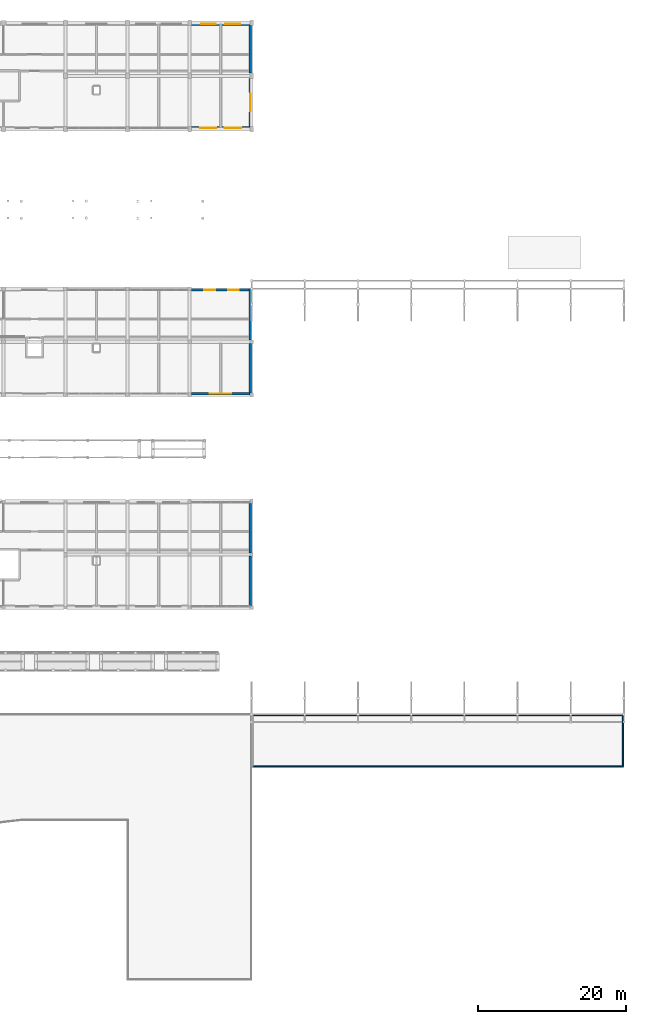
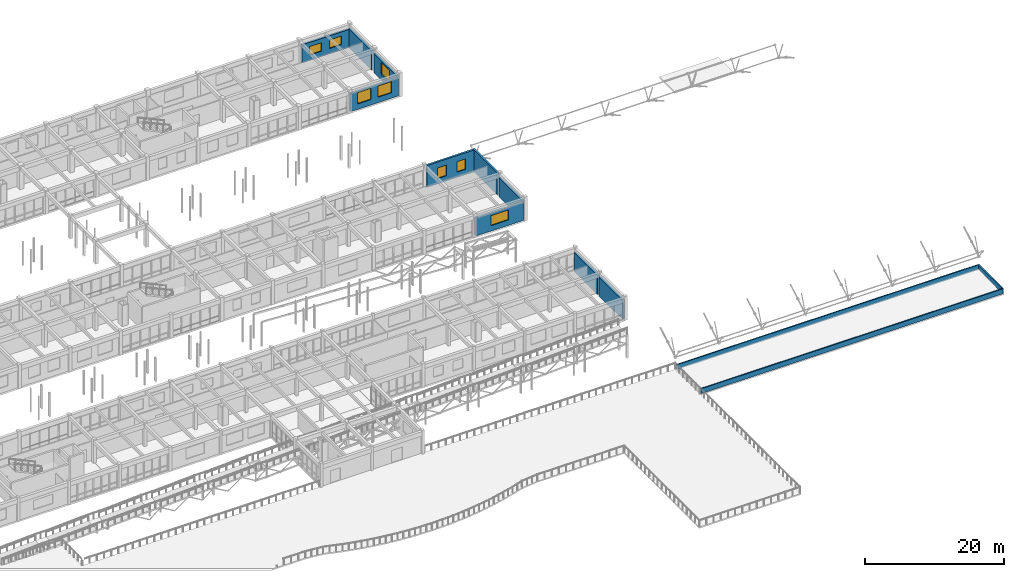
# One storey, part 79 of 90: 13 walls, 8 windows, 8 openings.
"""IFC4 building model written with IfcOpenShell, lengths in metres."""

from ifc_helpers import new_model, si_unit, direction, frame, frame_2d, origin, place, context, subcontext, project, spatial, rectangle, extrude, material, layer, layer_set, type_object, element, fill, save


model = new_model("IFC4")

# Units and contexts
model_context = context("Model", 3, precision=1e-05, world=origin(), true_north=direction((0.0, 1.0)))
body_context = subcontext(model_context, "Body", "Model", "MODEL_VIEW")
ifc_project = project(units=[si_unit("LENGTHUNIT", "METRE"), si_unit("AREAUNIT", "SQUARE_METRE"), si_unit("VOLUMEUNIT", "CUBIC_METRE"), si_unit("PLANEANGLEUNIT", "RADIAN"), si_unit("MASSUNIT", "GRAM", prefix="KILO")], contexts=[model_context])

# Site, building, storey
site_placement = place(None, origin())
site = spatial("IfcSite", under=ifc_project, at=site_placement, CompositionType="ELEMENT")
building_placement = place(site_placement, origin())
building = spatial("IfcBuilding", under=site, at=building_placement, Name="Malvenik Polytechnic", CompositionType="ELEMENT")
storey_placement = place(building_placement, frame((0.0, 0.0, 9.300048828125)))
storey = spatial("IfcBuildingStorey", under=building, at=storey_placement, Name="L02", CompositionType="ELEMENT", Elevation=9.300048828125)

# Walls
ifc_material_1 = material(Name="Concrete C30/37", Category="concrete")
ifc_layer_1 = layer(ifc_material_1, 0.340087890625)
ifc_layer_set_1 = layer_set([ifc_layer_1], Name="Concrete C30/37")
wall_type_1 = type_object("IfcWallType", Name="ARC-EW-340", PredefinedType="SOLIDWALL", material=ifc_layer_set_1)
wall_1_placement = place(storey_placement, frame((134.22998046875, 64.501953125, 0.0), z_axis=(0.0, 0.0, 1.0), x_axis=(0.0, -1.0, 0.0)))
element("IfcWall", 1, at=wall_1_placement, inside=storey, type_object=wall_type_1, Name="External Facade Wall EW-02 L02 #289", PredefinedType="SOLIDWALL", context=body_context, shape_type="SweptSolid", body=[
    extrude(rectangle(XDim=6.703857421875, YDim=0.340087890625, at=frame_2d((3.35205078125, 0.0))), origin(), (0.0, 0.0, 1.0), 3.329833984375),
])
wall_2_placement = place(storey_placement, frame((134.22998046875, 57.402099609375, 0.0), z_axis=(0.0, 0.0, 1.0), x_axis=(0.0, -1.0, 0.0)))
element("IfcWall", 2, at=wall_2_placement, inside=storey, type_object=wall_type_1, Name="External Facade Wall EW-02 L02 #290", PredefinedType="SOLIDWALL", context=body_context, shape_type="SweptSolid", body=[
    extrude(rectangle(XDim=6.779052734375, YDim=0.340087890625, at=frame_2d((3.3896484375, 0.0))), origin(), (0.0, 0.0, 1.0), 3.329833984375),
])
wall_3_placement = place(storey_placement, frame((134.22998046875, 93.60009765625, 0.0), z_axis=(0.0, 0.0, 1.0), x_axis=(0.0, -1.0, 0.0)))
element("IfcWall", 3, at=wall_3_placement, inside=storey, type_object=wall_type_1, Name="External Facade Wall EW-02 L02 #295", PredefinedType="SOLIDWALL", context=body_context, shape_type="SweptSolid", body=[
    extrude(rectangle(XDim=6.9521484375, YDim=0.340087890625, at=frame_2d((3.47607421875, 0.0))), origin(), (0.0, 0.0, 1.0), 3.85986328125),
])
wall_4_placement = place(storey_placement, frame((134.22998046875, 86.152099609375, 0.0), z_axis=(0.0, 0.0, 1.0), x_axis=(0.0, -1.0, 0.0)))
element("IfcWall", 4, at=wall_4_placement, inside=storey, type_object=wall_type_1, Name="External Facade Wall EW-02 L02 #296", PredefinedType="SOLIDWALL", context=body_context, shape_type="SweptSolid", body=[
    extrude(rectangle(XDim=6.7041015625, YDim=0.340087890625, at=frame_2d((3.35205078125, 0.0))), origin(), (0.0, 0.0, 1.0), 3.329833984375),
])

# Wall, opening, window
wall_5_placement = place(storey_placement, frame((134.152099609375, 79.3701171875, 0.0), z_axis=(0.0, 0.0, 1.0), x_axis=(-1.0, 0.0, 0.0)))
wall_5 = element("IfcWall", 5, at=wall_5_placement, inside=storey, type_object=wall_type_1, Name="External Facade Wall EW-02 L02 #297", PredefinedType="SOLIDWALL", context=body_context, shape_type="SweptSolid", body=[
    extrude(rectangle(XDim=7.904052734375, YDim=0.340087890625, at=frame_2d((3.9521484375, 0.0))), origin(), (0.0, 0.0, 1.0), 3.179931640625),
])
opening_1_placement = place(wall_5_placement, frame((2.501953125, 0.0, 0.949951171875)))
opening_1 = element("IfcOpeningElement", 6, at=opening_1_placement, cuts=wall_5, Name="Opening W-28", PredefinedType="OPENING", context=body_context, shape_type="SweptSolid", body=[
    extrude(rectangle(XDim=2.89990234375, YDim=1.75, at=frame_2d((1.449951171875, 0.875))), frame((0.0, 0.18017578125, 0.0), z_axis=(0.0, -1.0, 0.0), x_axis=(1.0, 0.0, 0.0)), (0.0, 0.0, 1.0), 0.360107421875),
])
ifc_material_2 = material(Name="Thermally broken aluminium frame with low-E double glazing", Category="aluminium")
window_type_1 = type_object("IfcWindowType", Name="ARC-WIN-W-28", PartitioningType="SINGLE_PANEL", PredefinedType="WINDOW", material=ifc_material_2)
window_1_placement = place(opening_1_placement, origin())
window_1 = element("IfcWindow", 7, at=window_1_placement, inside=storey, type_object=window_type_1, Name="Punched Window W-28 L02 #268", OverallHeight=1.75, OverallWidth=2.89990234375, PartitioningType="SINGLE_PANEL", PredefinedType="WINDOW", context=body_context, shape_type="SweptSolid", body=[
    extrude(rectangle(XDim=2.89990234375, YDim=1.75, at=frame_2d((1.449951171875, 0.875))), frame((0.0, 0.030029296875, 0.0), z_axis=(0.0, -1.0, 0.0), x_axis=(1.0, 0.0, 0.0)), (0.0, 0.0, 1.0), 0.06005859375),
])
fill(opening_1, window_1)

# Wall, openings, windows
wall_6_placement = place(storey_placement, frame((126.248046875, 93.429931640625, 0.0), z_axis=(0.0, 0.0, 1.0), x_axis=(1.0, 0.0, 0.0)))
wall_6 = element("IfcWall", 8, at=wall_6_placement, inside=storey, type_object=wall_type_1, Name="External Facade Wall EW-02 L02 #320", PredefinedType="SOLIDWALL", context=body_context, shape_type="SweptSolid", body=[
    extrude(rectangle(XDim=8.15185546875, YDim=0.340087890625, at=frame_2d((4.075927734375, 0.0))), origin(), (0.0, 0.0, 1.0), 3.85986328125),
])
opening_2_placement = place(wall_6_placement, frame((1.750732421875, 0.0, 0.949951171875)))
opening_2 = element("IfcOpeningElement", 9, at=opening_2_placement, cuts=wall_6, Name="Opening W-31", PredefinedType="OPENING", context=body_context, shape_type="SweptSolid", body=[
    extrude(rectangle(XDim=1.449951171875, YDim=1.85009765625, at=frame_2d((0.72509765625, 0.925048828125))), frame((0.0, 0.18017578125, 0.0), z_axis=(0.0, -1.0, 0.0), x_axis=(1.0, 0.0, 0.0)), (0.0, 0.0, 1.0), 0.360107421875),
])
opening_3_placement = place(wall_6_placement, frame((4.951416015625, 0.0, 0.949951171875)))
opening_3 = element("IfcOpeningElement", 10, at=opening_3_placement, cuts=wall_6, Name="Opening W-31", PredefinedType="OPENING", context=body_context, shape_type="SweptSolid", body=[
    extrude(rectangle(XDim=1.449951171875, YDim=1.85009765625, at=frame_2d((0.72509765625, 0.925048828125))), frame((0.0, 0.18017578125, 0.0), z_axis=(0.0, -1.0, 0.0), x_axis=(1.0, 0.0, 0.0)), (0.0, 0.0, 1.0), 0.360107421875),
])
window_type_2 = type_object("IfcWindowType", Name="ARC-WIN-W-31", PartitioningType="SINGLE_PANEL", PredefinedType="WINDOW", material=ifc_material_2)
window_2_placement = place(opening_2_placement, origin())
window_2 = element("IfcWindow", 11, at=window_2_placement, inside=storey, type_object=window_type_2, Name="Punched Window W-31 L02 #303", OverallHeight=1.85009765625, OverallWidth=1.449951171875, PartitioningType="SINGLE_PANEL", PredefinedType="WINDOW", context=body_context, shape_type="SweptSolid", body=[
    extrude(rectangle(XDim=1.449951171875, YDim=1.85009765625, at=frame_2d((0.72509765625, 0.925048828125))), frame((0.0, 0.030029296875, 0.0), z_axis=(0.0, -1.0, 0.0), x_axis=(1.0, 0.0, 0.0)), (0.0, 0.0, 1.0), 0.06005859375),
])
fill(opening_2, window_2)
window_3_placement = place(opening_3_placement, origin())
window_3 = element("IfcWindow", 12, at=window_3_placement, inside=storey, type_object=window_type_2, Name="Punched Window W-31 L02 #304", OverallHeight=1.85009765625, OverallWidth=1.449951171875, PartitioningType="SINGLE_PANEL", PredefinedType="WINDOW", context=body_context, shape_type="SweptSolid", body=[
    extrude(rectangle(XDim=1.449951171875, YDim=1.85009765625, at=frame_2d((0.72509765625, 0.925048828125))), frame((0.0, 0.030029296875, 0.0), z_axis=(0.0, -1.0, 0.0), x_axis=(1.0, 0.0, 0.0)), (0.0, 0.0, 1.0), 0.06005859375),
])
fill(opening_3, window_3)

# Wall
wall_7_placement = place(storey_placement, frame((134.22998046875, 129.22705078125, 0.0), z_axis=(0.0, 0.0, 1.0), x_axis=(0.0, -1.0, 0.0)))
element("IfcWall", 13, at=wall_7_placement, inside=storey, type_object=wall_type_1, Name="External Facade Wall EW-02 L02 #321", PredefinedType="SOLIDWALL", context=body_context, shape_type="SweptSolid", body=[
    extrude(rectangle(XDim=6.4541015625, YDim=0.340087890625, at=frame_2d((3.22705078125, 0.0))), origin(), (0.0, 0.0, 1.0), 3.329833984375),
])

# Wall, opening, window
wall_8_placement = place(storey_placement, frame((134.22998046875, 122.027099609375, 0.0), z_axis=(0.0, 0.0, 1.0), x_axis=(0.0, -1.0, 0.0)))
wall_8 = element("IfcWall", 14, at=wall_8_placement, inside=storey, type_object=wall_type_1, Name="External Facade Wall EW-02 L02 #322", PredefinedType="SOLIDWALL", context=body_context, shape_type="SweptSolid", body=[
    extrude(rectangle(XDim=6.4541015625, YDim=0.340087890625, at=frame_2d((3.22705078125, 0.0))), origin(), (0.0, 0.0, 1.0), 3.329833984375),
])
opening_4_placement = place(wall_8_placement, frame((2.027099609375, 0.0, 0.949951171875)))
opening_4 = element("IfcOpeningElement", 15, at=opening_4_placement, cuts=wall_8, Name="Opening W-01", PredefinedType="OPENING", context=body_context, shape_type="SweptSolid", body=[
    extrude(rectangle(XDim=2.39990234375, YDim=2.10009765625, at=frame_2d((1.199951171875, 1.050048828125))), frame((0.0, 0.18017578125, 0.0), z_axis=(0.0, -1.0, 0.0), x_axis=(1.0, 0.0, 0.0)), (0.0, 0.0, 1.0), 0.360107421875),
])
window_type_3 = type_object("IfcWindowType", Name="ARC-WIN-W-01", PartitioningType="SINGLE_PANEL", PredefinedType="WINDOW", material=ifc_material_2)
window_4_placement = place(opening_4_placement, origin())
window_4 = element("IfcWindow", 16, at=window_4_placement, inside=storey, type_object=window_type_3, Name="Punched Window W-01 L02 #305", OverallHeight=2.10009765625, OverallWidth=2.39990234375, PartitioningType="SINGLE_PANEL", PredefinedType="WINDOW", context=body_context, shape_type="SweptSolid", body=[
    extrude(rectangle(XDim=2.39990234375, YDim=2.10009765625, at=frame_2d((1.199951171875, 1.050048828125))), frame((0.0, 0.030029296875, 0.0), z_axis=(0.0, -1.0, 0.0), x_axis=(1.0, 0.0, 0.0)), (0.0, 0.0, 1.0), 0.06005859375),
])
fill(opening_4, window_4)

# Wall, openings, windows
wall_9_placement = place(storey_placement, frame((134.152099609375, 115.3701171875, 0.0), z_axis=(0.0, 0.0, 1.0), x_axis=(-1.0, 0.0, 0.0)))
wall_9 = element("IfcWall", 17, at=wall_9_placement, inside=storey, type_object=wall_type_1, Name="External Facade Wall EW-02 L02 #323", PredefinedType="SOLIDWALL", context=body_context, shape_type="SweptSolid", body=[
    extrude(rectangle(XDim=7.904052734375, YDim=0.340087890625, at=frame_2d((3.9521484375, 0.0))), origin(), (0.0, 0.0, 1.0), 3.179931640625),
])
opening_5_placement = place(wall_9_placement, frame((1.16796875, 0.0, 0.949951171875)))
opening_5 = element("IfcOpeningElement", 18, at=opening_5_placement, cuts=wall_9, Name="Opening W-02", PredefinedType="OPENING", context=body_context, shape_type="SweptSolid", body=[
    extrude(rectangle(XDim=2.199951171875, YDim=1.97998046875, at=frame_2d((1.10009765625, 0.989990234375))), frame((0.0, 0.18017578125, 0.0), z_axis=(0.0, -1.0, 0.0), x_axis=(1.0, 0.0, 0.0)), (0.0, 0.0, 1.0), 0.360107421875),
])
opening_6_placement = place(wall_9_placement, frame((4.535888671875, 0.0, 0.949951171875)))
opening_6 = element("IfcOpeningElement", 19, at=opening_6_placement, cuts=wall_9, Name="Opening W-02", PredefinedType="OPENING", context=body_context, shape_type="SweptSolid", body=[
    extrude(rectangle(XDim=2.199951171875, YDim=1.97998046875, at=frame_2d((1.10009765625, 0.989990234375))), frame((0.0, 0.18017578125, 0.0), z_axis=(0.0, -1.0, 0.0), x_axis=(1.0, 0.0, 0.0)), (0.0, 0.0, 1.0), 0.360107421875),
])
window_type_4 = type_object("IfcWindowType", Name="ARC-WIN-W-02", PartitioningType="SINGLE_PANEL", PredefinedType="WINDOW", material=ifc_material_2)
window_5_placement = place(opening_5_placement, origin())
window_5 = element("IfcWindow", 20, at=window_5_placement, inside=storey, type_object=window_type_4, Name="Punched Window W-02 L02 #306", OverallHeight=1.97998046875, OverallWidth=2.199951171875, PartitioningType="SINGLE_PANEL", PredefinedType="WINDOW", context=body_context, shape_type="SweptSolid", body=[
    extrude(rectangle(XDim=2.199951171875, YDim=1.97998046875, at=frame_2d((1.10009765625, 0.989990234375))), frame((0.0, 0.030029296875, 0.0), z_axis=(0.0, -1.0, 0.0), x_axis=(1.0, 0.0, 0.0)), (0.0, 0.0, 1.0), 0.06005859375),
])
fill(opening_5, window_5)
window_6_placement = place(opening_6_placement, origin())
window_6 = element("IfcWindow", 21, at=window_6_placement, inside=storey, type_object=window_type_4, Name="Punched Window W-02 L02 #307", OverallHeight=1.97998046875, OverallWidth=2.199951171875, PartitioningType="SINGLE_PANEL", PredefinedType="WINDOW", context=body_context, shape_type="SweptSolid", body=[
    extrude(rectangle(XDim=2.199951171875, YDim=1.97998046875, at=frame_2d((1.10009765625, 0.989990234375))), frame((0.0, 0.030029296875, 0.0), z_axis=(0.0, -1.0, 0.0), x_axis=(1.0, 0.0, 0.0)), (0.0, 0.0, 1.0), 0.06005859375),
])
fill(opening_6, window_6)

wall_10_placement = place(storey_placement, frame((126.248046875, 129.429931640625, 0.0), z_axis=(0.0, 0.0, 1.0), x_axis=(1.0, 0.0, 0.0)))
wall_10 = element("IfcWall", 22, at=wall_10_placement, inside=storey, type_object=wall_type_1, Name="External Facade Wall EW-02 L02 #351", PredefinedType="SOLIDWALL", context=body_context, shape_type="SweptSolid", body=[
    extrude(rectangle(XDim=7.904052734375, YDim=0.340087890625, at=frame_2d((3.9521484375, 0.0))), origin(), (0.0, 0.0, 1.0), 3.179931640625),
])
opening_7_placement = place(wall_10_placement, frame((1.30126953125, 0.0, 0.949951171875)))
opening_7 = element("IfcOpeningElement", 23, at=opening_7_placement, cuts=wall_10, Name="Opening W-13", PredefinedType="OPENING", context=body_context, shape_type="SweptSolid", body=[
    extrude(rectangle(XDim=2.0, YDim=1.5, at=frame_2d((1.0, 0.75))), frame((0.0, 0.18017578125, 0.0), z_axis=(0.0, -1.0, 0.0), x_axis=(1.0, 0.0, 0.0)), (0.0, 0.0, 1.0), 0.360107421875),
])
opening_8_placement = place(wall_10_placement, frame((4.6025390625, 0.0, 0.949951171875)))
opening_8 = element("IfcOpeningElement", 24, at=opening_8_placement, cuts=wall_10, Name="Opening W-13", PredefinedType="OPENING", context=body_context, shape_type="SweptSolid", body=[
    extrude(rectangle(XDim=2.0, YDim=1.5, at=frame_2d((1.0, 0.75))), frame((0.0, 0.18017578125, 0.0), z_axis=(0.0, -1.0, 0.0), x_axis=(1.0, 0.0, 0.0)), (0.0, 0.0, 1.0), 0.360107421875),
])
window_type_5 = type_object("IfcWindowType", Name="ARC-WIN-W-13", PartitioningType="SINGLE_PANEL", PredefinedType="WINDOW", material=ifc_material_2)
window_7_placement = place(opening_7_placement, origin())
window_7 = element("IfcWindow", 25, at=window_7_placement, inside=storey, type_object=window_type_5, Name="Punched Window W-13 L02 #349", OverallHeight=1.5, OverallWidth=2.0, PartitioningType="SINGLE_PANEL", PredefinedType="WINDOW", context=body_context, shape_type="SweptSolid", body=[
    extrude(rectangle(XDim=2.0, YDim=1.5, at=frame_2d((1.0, 0.75))), frame((0.0, 0.030029296875, 0.0), z_axis=(0.0, -1.0, 0.0), x_axis=(1.0, 0.0, 0.0)), (0.0, 0.0, 1.0), 0.06005859375),
])
fill(opening_7, window_7)
window_8_placement = place(opening_8_placement, origin())
window_8 = element("IfcWindow", 26, at=window_8_placement, inside=storey, type_object=window_type_5, Name="Punched Window W-13 L02 #350", OverallHeight=1.5, OverallWidth=2.0, PartitioningType="SINGLE_PANEL", PredefinedType="WINDOW", context=body_context, shape_type="SweptSolid", body=[
    extrude(rectangle(XDim=2.0, YDim=1.5, at=frame_2d((1.0, 0.75))), frame((0.0, 0.030029296875, 0.0), z_axis=(0.0, -1.0, 0.0), x_axis=(1.0, 0.0, 0.0)), (0.0, 0.0, 1.0), 0.06005859375),
])
fill(opening_8, window_8)

# Walls
ifc_material_3 = material(Name="Precast concrete C40/50", Category="concrete")
ifc_layer_2 = layer(ifc_material_3, 0.199951171875)
ifc_layer_set_2 = layer_set([ifc_layer_2], Name="Precast concrete C40/50")
wall_type_2 = type_object("IfcWallType", Name="ARC-PW-200", PredefinedType="PARAPET", material=ifc_layer_set_2)
wall_11_placement = place(storey_placement, frame((134.52001953125, 35.8798828125, 0.0), z_axis=(0.0, 0.0, 1.0), x_axis=(1.0, 0.0, 0.0)))
element("IfcWall", 27, at=wall_11_placement, inside=storey, type_object=wall_type_2, Name="V5 South Wing Roof Parapet PW-02 #1", PredefinedType="PARAPET", context=body_context, shape_type="SweptSolid", body=[
    extrude(rectangle(XDim=50.159912109375, YDim=0.199951171875, at=frame_2d((25.080078125, 0.0))), origin(), (0.0, 0.0, 1.0), 0.849853515625),
])
wall_12_placement = place(storey_placement, frame((184.679931640625, 35.8798828125, 0.0), z_axis=(0.0, 0.0, 1.0), x_axis=(0.0, -1.0, 0.0)))
element("IfcWall", 28, at=wall_12_placement, inside=storey, type_object=wall_type_2, Name="V5 South Wing Roof Parapet PW-02 #2", PredefinedType="PARAPET", context=body_context, shape_type="SweptSolid", body=[
    extrude(rectangle(XDim=6.9599609375, YDim=0.199951171875, at=frame_2d((3.47998046875, 0.0))), origin(), (0.0, 0.0, 1.0), 0.849853515625),
])
wall_13_placement = place(storey_placement, frame((184.679931640625, 28.919921875, 0.0), z_axis=(0.0, 0.0, 1.0), x_axis=(-1.0, 0.0, 0.0)))
element("IfcWall", 29, at=wall_13_placement, inside=storey, type_object=wall_type_2, Name="V5 South Wing Roof Parapet PW-02 #3", PredefinedType="PARAPET", context=body_context, shape_type="SweptSolid", body=[
    extrude(rectangle(XDim=50.159912109375, YDim=0.199951171875, at=frame_2d((25.080078125, 0.0))), origin(), (0.0, 0.0, 1.0), 0.849853515625),
])

save(model, "model.ifc")
